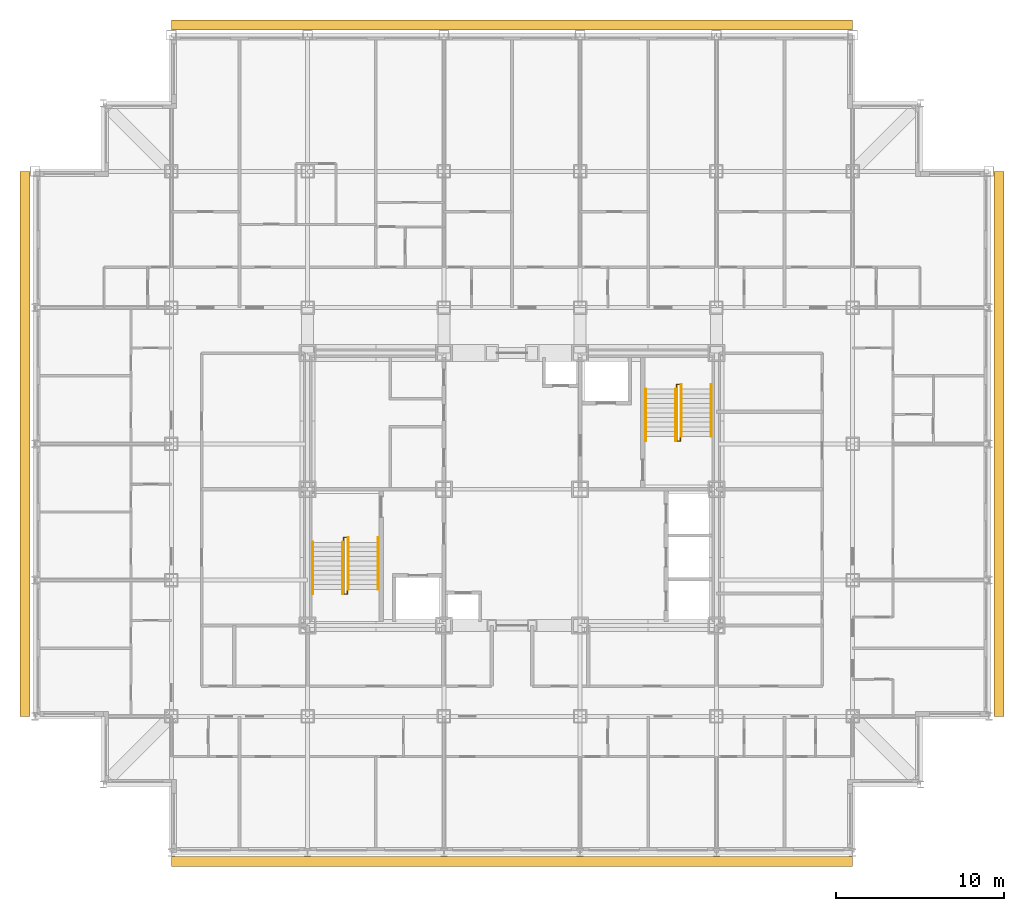
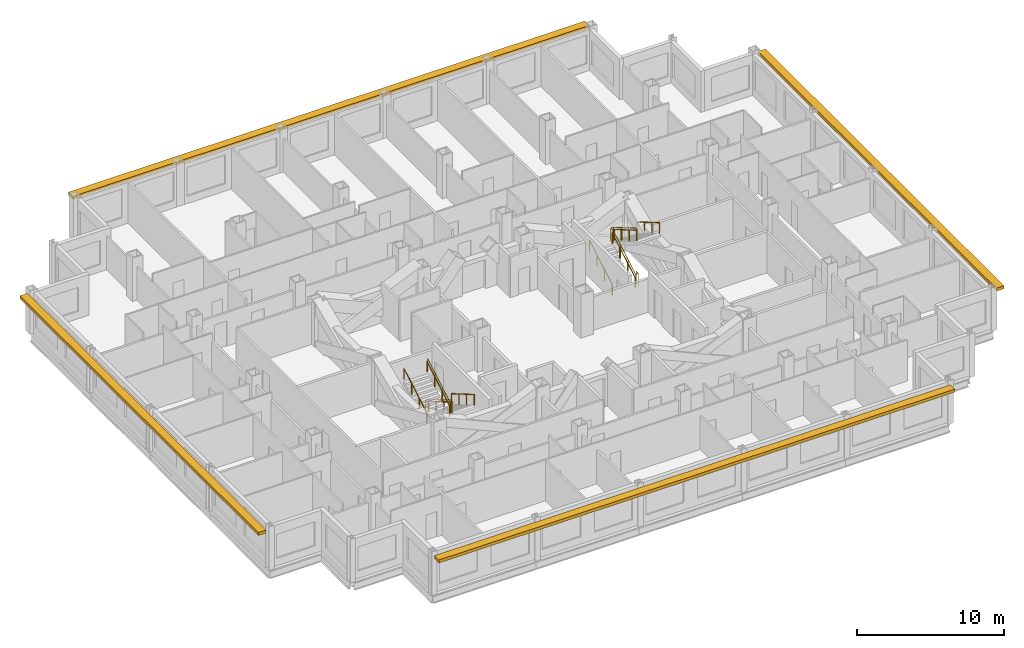
# One storey, part 12 of 12: 10 railings, 4 shading devices.
"""IFC4 building model written with IfcOpenShell, lengths in metres."""

import ifcopenshell
import ifcopenshell.guid

model = None  # the IFC model being written
_history = None  # IfcOwnerHistory: only IFC2X3 demands one
_inside = {}  # id of a spatial element -> (the spatial element, [elements in it])
_under = {}  # id of a project, library or spatial element -> (it, [spatial elements below it])
_declared = {}  # id of a project -> (the project, [libraries it declares])
_typed = {}  # id of a type object -> (the type object, [elements of that type])
_made_of = {}  # id of a material, layer set ... -> (it, [elements and type objects made of it])


def new_model(schema):
    """Start an empty IFC model of exactly this schema.

    Asked for "IFC4X3", IfcOpenShell would pick the latest addendum, in which some entities
    have other attributes; the version numbers below select the first issue.
    IFC2X3 requires an IfcOwnerHistory on every rooted entity: one is made here for all.
    """
    global model, _history
    if schema == "IFC4X3":
        model = ifcopenshell.file(schema_version=(4, 3, 0, 0))
    else:
        model = ifcopenshell.file(schema=schema)
    _inside.clear()
    _under.clear()
    _declared.clear()
    _typed.clear()
    _made_of.clear()
    _history = None
    if model.schema == "IFC2X3":
        org = make("IfcOrganization", Name="unknown")
        user = make(
            "IfcPersonAndOrganization",
            ThePerson=make("IfcPerson", FamilyName="unknown"),
            TheOrganization=org,
        )
        app = make(
            "IfcApplication",
            ApplicationDeveloper=org,
            Version="unknown",
            ApplicationFullName="unknown",
            ApplicationIdentifier="unknown",
        )
        _history = make(
            "IfcOwnerHistory",
            OwningUser=user,
            OwningApplication=app,
            ChangeAction="ADDED",
            CreationDate=0,
        )
    return model


def make(cls, **values):
    """One entity of the class cls with the attributes given. An attribute that is None is left unset."""
    return model.create_entity(
        cls, **{name: value for name, value in values.items() if value is not None}
    )


def rooted(cls, **values):
    """An entity with a GlobalId (a new one), such as an element, a storey or a relation."""
    return make(cls, GlobalId=ifcopenshell.guid.new(), OwnerHistory=_history, **values)


def si_unit(unit_type, name, prefix=None):
    """IfcSIUnit, for example si_unit("LENGTHUNIT", "METRE", prefix="MILLI")."""
    return make("IfcSIUnit", UnitType=unit_type, Prefix=prefix, Name=name)


def assignment(units):
    """IfcUnitAssignment: the units of a project."""
    return None if units is None else make("IfcUnitAssignment", Units=units)


def point(xyz):
    """IfcCartesianPoint."""
    return None if xyz is None else make("IfcCartesianPoint", Coordinates=xyz)


def direction(xyz):
    """IfcDirection."""
    return None if xyz is None else make("IfcDirection", DirectionRatios=xyz)


def frame(location, z_axis=None, x_axis=None):
    """IfcAxis2Placement3D, a coordinate frame: its origin and axes. An axis left out is left unset."""
    return make(
        "IfcAxis2Placement3D",
        Location=point(location),
        Axis=direction(z_axis),
        RefDirection=direction(x_axis),
    )


def frame_2d(location, x_axis=None):
    """IfcAxis2Placement2D, a coordinate frame in the plane: its origin and x axis."""
    return make(
        "IfcAxis2Placement2D", Location=point(location), RefDirection=direction(x_axis)
    )


def origin():
    """The frame at (0, 0, 0) with its axes left unset."""
    return frame((0.0, 0.0, 0.0))


def origin_2d():
    """The frame at (0, 0) in the plane with its x axis left unset."""
    return frame_2d((0.0, 0.0))


def place(relative_to, where):
    """IfcLocalPlacement: puts the frame where relative to a parent placement (None: the world)."""
    return make(
        "IfcLocalPlacement", PlacementRelTo=relative_to, RelativePlacement=where
    )


def context(
    kind, dimensions, precision=None, world=None, true_north=None, identifier=None
):
    """IfcGeometricRepresentationContext, for example the 3D "Model" context."""
    return make(
        "IfcGeometricRepresentationContext",
        ContextIdentifier=identifier,
        ContextType=kind,
        CoordinateSpaceDimension=dimensions,
        Precision=precision,
        WorldCoordinateSystem=world,
        TrueNorth=true_north,
    )


def subcontext(parent, identifier, kind, view, scale=None):
    """IfcGeometricRepresentationSubContext, for example "Body" below "Model"."""
    return make(
        "IfcGeometricRepresentationSubContext",
        ContextIdentifier=identifier,
        ContextType=kind,
        ParentContext=parent,
        TargetScale=scale,
        TargetView=view,
    )


def project(units=None, contexts=None):
    """IfcProject with its units and contexts."""
    return rooted(
        "IfcProject",
        Name="project",
        RepresentationContexts=contexts,
        UnitsInContext=assignment(units),
    )


def spatial(cls, under=None, at=None, **own):
    """A site, building, storey or space (cls), placed at a placement, below another one or the project."""
    s = rooted(cls, ObjectPlacement=at, **own)
    if under is not None:
        _under.setdefault(under.id(), (under, []))[1].append(s)
    return s


def profile(cls, at=None, kind="AREA", **sizes):
    """A parametric profile (cls). Its sizes go by their IFC names, for example OverallWidth=200.0."""
    return make(cls, ProfileType=kind, Position=at, **sizes)


def rectangle(**sizes):
    """IfcRectangleProfileDef."""
    return profile("IfcRectangleProfileDef", **sizes)


def circle(**sizes):
    """IfcCircleProfileDef."""
    return profile("IfcCircleProfileDef", **sizes)


def extrude(swept, where, along, depth):
    """IfcExtrudedAreaSolid: the profile swept, set in the frame where, extruded along a direction by depth."""
    return make(
        "IfcExtrudedAreaSolid",
        SweptArea=swept,
        Position=where,
        ExtrudedDirection=direction(along),
        Depth=depth,
    )


def shape(context_of_items, identifier, shape_type, items):
    """IfcShapeRepresentation: the items that make up one representation, for example the "Body"."""
    return make(
        "IfcShapeRepresentation",
        ContextOfItems=context_of_items,
        RepresentationIdentifier=identifier,
        RepresentationType=shape_type,
        Items=items,
    )


def material(Name=None, Category=None):
    """IfcMaterial."""
    return make("IfcMaterial", Name=Name, Category=Category)


def made_of(thing, what):
    """Note that an element or type object is made of a material, layer set ...; save() writes the relation."""
    if what is not None:
        _made_of.setdefault(what.id(), (what, []))[1].append(thing)
    return thing


def type_object(cls, material=None, **own):
    """A type object (cls), such as IfcWallType, which elements share."""
    return made_of(rooted(cls, **own), material)


def element(
    cls,
    number,
    at=None,
    inside=None,
    cuts=None,
    type_object=None,
    material=None,
    context=None,
    identifier="Body",
    shape_type=None,
    held_by="IfcProductDefinitionShape",
    body=None,
    shapes=None,
    **own,
):
    """One element of the class cls, such as IfcWall. Its Tag is "e" and its number.

    at: its placement. inside: the storey or other place that contains it. cuts: it is an
    opening in that element (IfcRelVoidsElement). A single representation is given by context,
    identifier, shape_type and body (its items); several are given by shapes. held_by: the class
    of the entity that holds the representations. save() writes the other relations.
    """
    e = rooted(cls, Tag="e%d" % number, ObjectPlacement=at, **own)
    if body is not None:
        shapes = [shape(context, identifier, shape_type, body)]
    if shapes is not None:
        e.Representation = make(held_by, Representations=shapes)
    if inside is not None:
        _inside.setdefault(inside.id(), (inside, []))[1].append(e)
    if cuts is not None:
        rooted(
            "IfcRelVoidsElement", RelatingBuildingElement=cuts, RelatedOpeningElement=e
        )
    if type_object is not None:
        _typed.setdefault(type_object.id(), (type_object, []))[1].append(e)
    return made_of(e, material)


def aggregate(whole, parts):
    """IfcRelAggregates: a whole, such as a stair, and the parts it consists of."""
    return rooted("IfcRelAggregates", RelatingObject=whole, RelatedObjects=parts)


def save(model, path):
    """Write the relations noted so far, then the file.

    IfcRelAggregates (storeys below a building ...), IfcRelContainedInSpatialStructure (elements
    in a storey), IfcRelDefinesByType, IfcRelAssociatesMaterial and IfcRelDeclares: one each for
    every whole, place, type object, material and project.
    """
    for whole, parts in _under.values():
        aggregate(whole, parts)
    for where, things in _inside.values():
        rooted(
            "IfcRelContainedInSpatialStructure",
            RelatedElements=things,
            RelatingStructure=where,
        )
    for kind, things in _typed.values():
        rooted("IfcRelDefinesByType", RelatedObjects=things, RelatingType=kind)
    for what, things in _made_of.values():
        rooted("IfcRelAssociatesMaterial", RelatedObjects=things, RelatingMaterial=what)
    for by, libraries in _declared.values():
        rooted("IfcRelDeclares", RelatingContext=by, RelatedDefinitions=libraries)
    model.write(path)


model = new_model("IFC4")

# Units and contexts
model_context = context("Model", 3, precision=1e-05, world=origin(), true_north=direction((0.0, 1.0)))
body_context = subcontext(model_context, "Body", "Model", "MODEL_VIEW")
ifc_project = project(units=[si_unit("LENGTHUNIT", "METRE"), si_unit("AREAUNIT", "SQUARE_METRE"), si_unit("VOLUMEUNIT", "CUBIC_METRE"), si_unit("PLANEANGLEUNIT", "RADIAN"), si_unit("MASSUNIT", "GRAM", prefix="KILO")], contexts=[model_context])

# Site, building, storey
site_placement = place(None, origin())
site = spatial("IfcSite", under=ifc_project, at=site_placement, CompositionType="ELEMENT")
building_placement = place(site_placement, origin())
building = spatial("IfcBuilding", under=site, at=building_placement, Name="Kopane Lantern Tower", CompositionType="ELEMENT")
storey_placement = place(building_placement, frame((0.0, 0.0, 192.0)))
storey = spatial("IfcBuildingStorey", under=building, at=storey_placement, Name="L49", CompositionType="ELEMENT", Elevation=192.0)

# Railings
ifc_material_1 = material(Name="Steel", Category="steel")
railing_type_1 = type_object("IfcRailingType", Name="STAIR GUARD 1100", PredefinedType="GUARDRAIL", material=ifc_material_1)
railing_1_placement = place(storey_placement, frame((18.35009765625, 29.25, 0.0)))
element("IfcRailing", 1, at=railing_1_placement, inside=storey, type_object=railing_type_1, Name="ST1 well guard L49", PredefinedType="GUARDRAIL", context=body_context, shape_type="SweptSolid", body=[
    extrude(circle(Radius=0.02392578125, at=origin_2d()), frame((0.0, 0.0, 1.076171875), z_axis=(0.0, 1.0, 0.0), x_axis=(-1.0, 0.0, 0.0)), (0.0, 0.0, 1.0), 0.280029296875),
    extrude(circle(Radius=0.02392578125, at=origin_2d()), frame((0.0, 0.280029296875, 1.076171875), z_axis=(1.0, 0.0, 0.0), x_axis=(0.0, 1.0, 0.0)), (0.0, 0.0, 1.0), 0.199951171875),
    extrude(circle(Radius=0.02392578125, at=origin_2d()), frame((0.199951171875, 0.280029296875, 1.076171875), z_axis=(0.0, -0.863371556955, 0.504568681787), x_axis=(1.0, 0.0, 0.0)), (0.0, 0.0, 1.0), 3.5673828125),
    extrude(circle(Radius=0.02392578125, at=origin_2d()), frame((0.199951171875, -2.800048828125, 2.8759765625), z_axis=(0.0, -1.0, 0.0), x_axis=(1.0, 0.0, 0.0)), (0.0, 0.0, 1.0), 0.280029296875),
    extrude(circle(Radius=0.02392578125, at=origin_2d()), frame((0.199951171875, -3.080078125, 2.8759765625), z_axis=(-1.0, 0.0, 0.0), x_axis=(0.0, -1.0, 0.0)), (0.0, 0.0, 1.0), 0.199951171875),
    extrude(circle(Radius=0.02392578125, at=origin_2d()), frame((0.0, -3.080078125, 2.8759765625), z_axis=(0.0, 0.863371556955, 0.504568681787), x_axis=(-1.0, 0.0, 0.0)), (0.0, 0.0, 1.0), 3.5673828125),
    extrude(circle(Radius=0.02099609375, at=origin_2d()), origin(), (0.0, 0.0, 1.0), 1.052001953125),
    extrude(circle(Radius=0.02099609375, at=origin_2d()), frame((0.0, 0.280029296875, 0.0)), (0.0, 0.0, 1.0), 1.052001953125),
    extrude(circle(Radius=0.02099609375, at=origin_2d()), frame((0.199951171875, 0.280029296875, 0.0)), (0.0, 0.0, 1.0), 1.052001953125),
    extrude(circle(Radius=0.02099609375, at=origin_2d()), frame((0.199951171875, -0.74658203125, 0.60009765625)), (0.0, 0.0, 1.0), 1.052001953125),
    extrude(circle(Radius=0.02099609375, at=origin_2d()), frame((0.199951171875, -1.7734375, 1.199951171875)), (0.0, 0.0, 1.0), 1.052001953125),
    extrude(circle(Radius=0.02099609375, at=origin_2d()), frame((0.199951171875, -2.800048828125, 1.800048828125)), (0.0, 0.0, 1.0), 1.052001953125),
    extrude(circle(Radius=0.02099609375, at=origin_2d()), frame((0.199951171875, -3.080078125, 1.800048828125)), (0.0, 0.0, 1.0), 1.052001953125),
    extrude(circle(Radius=0.02099609375, at=origin_2d()), frame((0.0, -3.080078125, 1.800048828125)), (0.0, 0.0, 1.0), 1.052001953125),
    extrude(circle(Radius=0.02099609375, at=origin_2d()), frame((0.0, -2.053466796875, 2.400146484375)), (0.0, 0.0, 1.0), 1.052001953125),
    extrude(circle(Radius=0.02099609375, at=origin_2d()), frame((0.0, -1.026611328125, 3.0)), (0.0, 0.0, 1.0), 1.052001953125),
    extrude(circle(Radius=0.02099609375, at=origin_2d()), frame((0.0, 0.0, 3.60009765625)), (0.0, 0.0, 1.0), 1.052001953125),
])
railing_2_placement = place(storey_placement, frame((38.35009765625, 35.550048828125, 0.0)))
element("IfcRailing", 2, at=railing_2_placement, inside=storey, type_object=railing_type_1, Name="ST2 well guard L49", PredefinedType="GUARDRAIL", context=body_context, shape_type="SweptSolid", body=[
    extrude(circle(Radius=0.02392578125, at=origin_2d()), frame((0.0, 0.0, 1.076171875), z_axis=(0.0, -1.0, 0.0), x_axis=(1.0, 0.0, 0.0)), (0.0, 0.0, 1.0), 0.280029296875),
    extrude(circle(Radius=0.02392578125, at=origin_2d()), frame((0.0, -0.280029296875, 1.076171875), z_axis=(-1.0, 0.0, 0.0), x_axis=(0.0, -1.0, 0.0)), (0.0, 0.0, 1.0), 0.2001953125),
    extrude(circle(Radius=0.02392578125, at=origin_2d()), frame((-0.2001953125, -0.280029296875, 1.076171875), z_axis=(0.0, 0.863371556955, 0.504568681787), x_axis=(-1.0, 0.0, 0.0)), (0.0, 0.0, 1.0), 3.5673828125),
    extrude(circle(Radius=0.02392578125, at=origin_2d()), frame((-0.2001953125, 2.800048828125, 2.8759765625), z_axis=(0.0, 1.0, 0.0), x_axis=(-1.0, 0.0, 0.0)), (0.0, 0.0, 1.0), 0.27978515625),
    extrude(circle(Radius=0.02392578125, at=origin_2d()), frame((-0.2001953125, 3.079833984375, 2.8759765625), z_axis=(1.0, 0.0, 0.0), x_axis=(0.0, 1.0, 0.0)), (0.0, 0.0, 1.0), 0.2001953125),
    extrude(circle(Radius=0.02392578125, at=origin_2d()), frame((0.0, 3.079833984375, 2.8759765625), z_axis=(0.0, -0.863354132664, 0.504598495452), x_axis=(1.0, 0.0, 0.0)), (0.0, 0.0, 1.0), 3.5673828125),
    extrude(circle(Radius=0.02099609375, at=origin_2d()), origin(), (0.0, 0.0, 1.0), 1.052001953125),
    extrude(circle(Radius=0.02099609375, at=origin_2d()), frame((0.0, -0.280029296875, 0.0)), (0.0, 0.0, 1.0), 1.052001953125),
    extrude(circle(Radius=0.02099609375, at=origin_2d()), frame((-0.2001953125, -0.280029296875, 0.0)), (0.0, 0.0, 1.0), 1.052001953125),
    extrude(circle(Radius=0.02099609375, at=origin_2d()), frame((-0.2001953125, 0.74658203125, 0.60009765625)), (0.0, 0.0, 1.0), 1.052001953125),
    extrude(circle(Radius=0.02099609375, at=origin_2d()), frame((-0.2001953125, 1.7734375, 1.199951171875)), (0.0, 0.0, 1.0), 1.052001953125),
    extrude(circle(Radius=0.02099609375, at=origin_2d()), frame((-0.2001953125, 2.800048828125, 1.800048828125)), (0.0, 0.0, 1.0), 1.052001953125),
    extrude(circle(Radius=0.02099609375, at=origin_2d()), frame((-0.2001953125, 3.079833984375, 1.800048828125)), (0.0, 0.0, 1.0), 1.052001953125),
    extrude(circle(Radius=0.02099609375, at=origin_2d()), frame((0.0, 3.079833984375, 1.800048828125)), (0.0, 0.0, 1.0), 1.052001953125),
    extrude(circle(Radius=0.02099609375, at=origin_2d()), frame((0.0, 2.05322265625, 2.400146484375)), (0.0, 0.0, 1.0), 1.052001953125),
    extrude(circle(Radius=0.02099609375, at=origin_2d()), frame((0.0, 1.026611328125, 3.0)), (0.0, 0.0, 1.0), 1.052001953125),
    extrude(circle(Radius=0.02099609375, at=origin_2d()), frame((0.0, 0.0, 3.60009765625)), (0.0, 0.0, 1.0), 1.052001953125),
])
ifc_material_2 = material(Name="Steel", Category="steel")
railing_type_2 = type_object("IfcRailingType", Name="STAIR HANDRAIL 900", PredefinedType="HANDRAIL", material=ifc_material_2)
for number, where, name in (
    (3, (20.389892578125, 29.530029296875, 0.0), "ST1 handrail L49 flight 1"),
    (4, (18.610107421875, 29.530029296875, 0.0), "ST1 handrail L49 flight 1"),
):
    element("IfcRailing", number, at=place(storey_placement, frame(where)), inside=storey, type_object=railing_type_2, Name=name, PredefinedType="HANDRAIL", context=body_context, shape_type="SweptSolid", body=[
        extrude(circle(Radius=0.02392578125, at=origin_2d()), frame((0.0, 0.0, 0.8759765625), z_axis=(0.0, -0.863371556955, 0.504568681787), x_axis=(1.0, 0.0, 0.0)), (0.0, 0.0, 1.0), 3.5673828125),
        extrude(circle(Radius=0.02099609375, at=origin_2d()), origin(), (0.0, 0.0, 1.0), 0.851806640625),
        extrude(circle(Radius=0.02099609375, at=origin_2d()), frame((0.0, -1.026611328125, 0.60009765625)), (0.0, 0.0, 1.0), 0.851806640625),
        extrude(circle(Radius=0.02099609375, at=origin_2d()), frame((0.0, -2.053466796875, 1.199951171875)), (0.0, 0.0, 1.0), 0.851806640625),
        extrude(circle(Radius=0.02099609375, at=origin_2d()), frame((0.0, -3.080078125, 1.800048828125)), (0.0, 0.0, 1.0), 0.851806640625),
    ])
for number, where, name in (
    (5, (16.510009765625, 26.169921875, 1.800048828125), "ST1 handrail L49 flight 2"),
    (6, (18.2900390625, 26.169921875, 1.800048828125), "ST1 handrail L49 flight 2"),
    (7, (36.31005859375, 35.27001953125, 0.0), "ST2 handrail L49 flight 1"),
    (8, (38.090087890625, 35.27001953125, 0.0), "ST2 handrail L49 flight 1"),
):
    element("IfcRailing", number, at=place(storey_placement, frame(where)), inside=storey, type_object=railing_type_2, Name=name, PredefinedType="HANDRAIL", context=body_context, shape_type="SweptSolid", body=[
        extrude(circle(Radius=0.02392578125, at=origin_2d()), frame((0.0, 0.0, 0.8759765625), z_axis=(0.0, 0.863371556955, 0.504568681787), x_axis=(-1.0, 0.0, 0.0)), (0.0, 0.0, 1.0), 3.5673828125),
        extrude(circle(Radius=0.02099609375, at=origin_2d()), origin(), (0.0, 0.0, 1.0), 0.851806640625),
        extrude(circle(Radius=0.02099609375, at=origin_2d()), frame((0.0, 1.026611328125, 0.60009765625)), (0.0, 0.0, 1.0), 0.851806640625),
        extrude(circle(Radius=0.02099609375, at=origin_2d()), frame((0.0, 2.053466796875, 1.199951171875)), (0.0, 0.0, 1.0), 0.851806640625),
        extrude(circle(Radius=0.02099609375, at=origin_2d()), frame((0.0, 3.080078125, 1.800048828125)), (0.0, 0.0, 1.0), 0.851806640625),
    ])
for number, where, name in (
    (9, (40.18994140625, 38.6298828125, 1.800048828125), "ST2 handrail L49 flight 2"),
    (10, (38.409912109375, 38.6298828125, 1.800048828125), "ST2 handrail L49 flight 2"),
):
    element("IfcRailing", number, at=place(storey_placement, frame(where)), inside=storey, type_object=railing_type_2, Name=name, PredefinedType="HANDRAIL", context=body_context, shape_type="SweptSolid", body=[
        extrude(circle(Radius=0.02392578125, at=origin_2d()), frame((0.0, 0.0, 0.8759765625), z_axis=(0.0, -0.863354132664, 0.504598495452), x_axis=(1.0, 0.0, 0.0)), (0.0, 0.0, 1.0), 3.5673828125),
        extrude(circle(Radius=0.02099609375, at=origin_2d()), origin(), (0.0, 0.0, 1.0), 0.851806640625),
        extrude(circle(Radius=0.02099609375, at=origin_2d()), frame((0.0, -1.026611328125, 0.60009765625)), (0.0, 0.0, 1.0), 0.851806640625),
        extrude(circle(Radius=0.02099609375, at=origin_2d()), frame((0.0, -2.05322265625, 1.199951171875)), (0.0, 0.0, 1.0), 0.851806640625),
        extrude(circle(Radius=0.02099609375, at=origin_2d()), frame((0.0, -3.079833984375, 1.800048828125)), (0.0, 0.0, 1.0), 0.851806640625),
    ])

# Shading devices
ifc_material_3 = material(Name="Terracotta rainscreen on light steel framing", Category="masonry")
shading_device_type = type_object("IfcShadingDeviceType", Name="SUNSHADE BAND SB1 600 TERRACOTTA", PredefinedType="USERDEFINED", material=ifc_material_3)
shading_device_1_placement = place(storey_placement, frame((28.35009765625, 10.2626953125, 3.0), z_axis=(0.0, 0.0, 1.0), x_axis=(1.0, 0.0, 0.0)))
element("IfcShadingDevice", 11, at=shading_device_1_placement, inside=storey, type_object=shading_device_type, Name="Sunshade band S L49", ObjectType="SUNSHADE BAND", PredefinedType="USERDEFINED", context=body_context, shape_type="SweptSolid", body=[
    extrude(rectangle(XDim=40.5, YDim=0.60009765625, at=origin_2d()), origin(), (0.0, 0.0, 1.0), 0.25),
])
shading_device_2_placement = place(storey_placement, frame((57.300048828125, 35.10009765625, 3.0), z_axis=(0.0, 0.0, 1.0), x_axis=(0.0, 1.0, 0.0)))
element("IfcShadingDevice", 12, at=shading_device_2_placement, inside=storey, type_object=shading_device_type, Name="Sunshade band E L49", ObjectType="SUNSHADE BAND", PredefinedType="USERDEFINED", context=body_context, shape_type="SweptSolid", body=[
    extrude(rectangle(XDim=32.39990234375, YDim=0.60009765625, at=origin_2d()), origin(), (0.0, 0.0, 1.0), 0.25),
])
shading_device_3_placement = place(storey_placement, frame((28.35009765625, 60.0, 3.0), z_axis=(0.0, 0.0, 1.0), x_axis=(-1.0, 0.0, 0.0)))
element("IfcShadingDevice", 13, at=shading_device_3_placement, inside=storey, type_object=shading_device_type, Name="Sunshade band N L49", ObjectType="SUNSHADE BAND", PredefinedType="USERDEFINED", context=body_context, shape_type="SweptSolid", body=[
    extrude(rectangle(XDim=40.5, YDim=0.60009765625, at=origin_2d()), origin(), (0.0, 0.0, 1.0), 0.25),
])
shading_device_4_placement = place(storey_placement, frame((-0.60009765625, 35.10009765625, 3.0), z_axis=(0.0, 0.0, 1.0), x_axis=(0.0, -1.0, 0.0)))
element("IfcShadingDevice", 14, at=shading_device_4_placement, inside=storey, type_object=shading_device_type, Name="Sunshade band W L49", ObjectType="SUNSHADE BAND", PredefinedType="USERDEFINED", context=body_context, shape_type="SweptSolid", body=[
    extrude(rectangle(XDim=32.39990234375, YDim=0.60009765625, at=origin_2d()), origin(), (0.0, 0.0, 1.0), 0.25),
])

save(model, "model.ifc")
